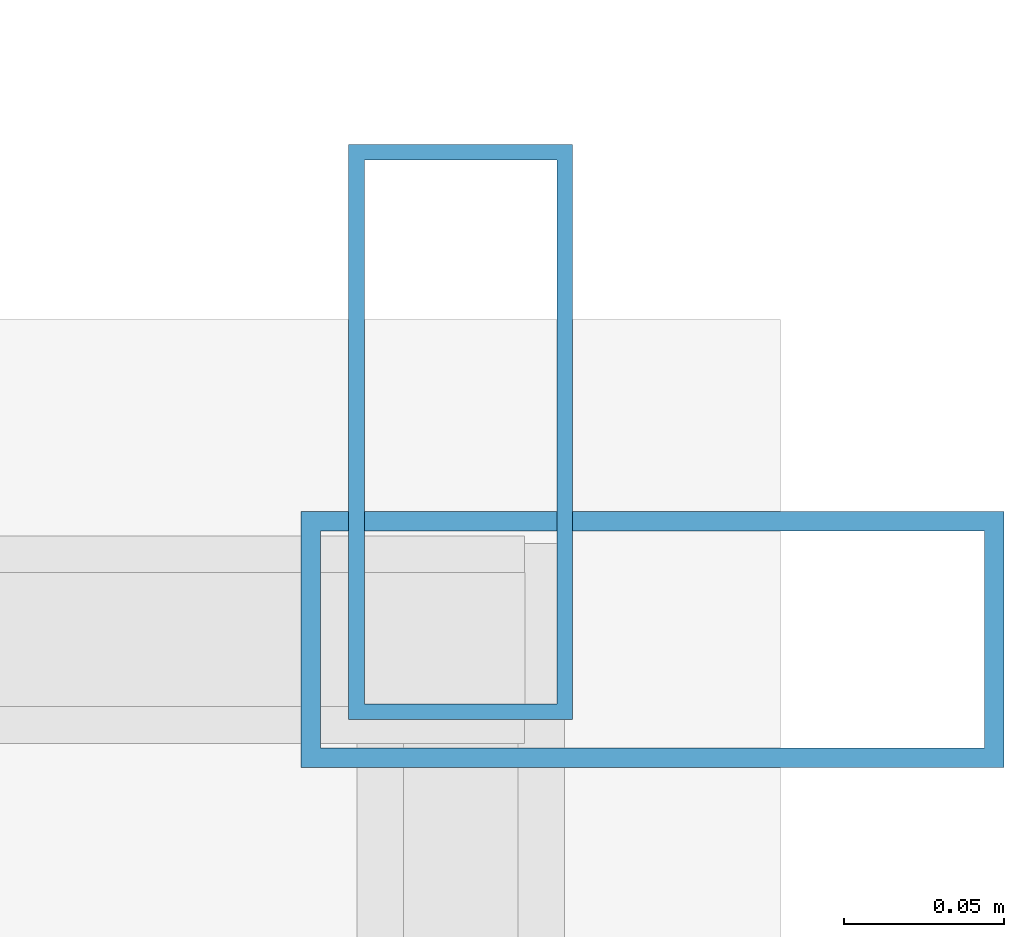
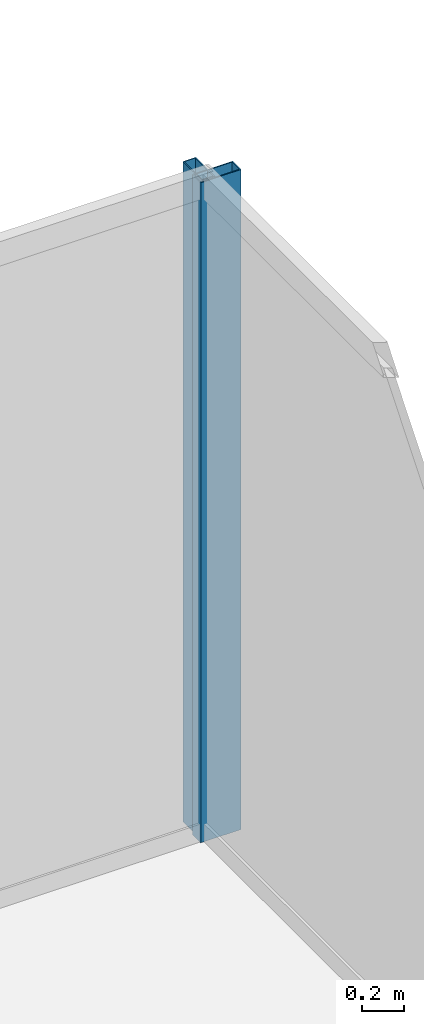
# One storey, part 26 of 33: 2 members, 2 elements without a shape of their own.
"""IFC4 building model written with IfcOpenShell, lengths in metres."""

from ifc_helpers import new_model, si_unit, direction, frame, origin, origin_2d, place, context, subcontext, project, spatial, hollow_rectangle, extrude, source, transform, mapped, material, layer, layer_set, material_profile, profile_set, type_object, type_shapes, element, aggregate, save


model = new_model("IFC4")

# Units and contexts
model_context = context("Model", 3, precision=1e-05, world=origin(), true_north=direction((0.0, 1.0)))
body_context = subcontext(model_context, "Body", "Model", "MODEL_VIEW")
ifc_project = project(units=[si_unit("LENGTHUNIT", "METRE"), si_unit("AREAUNIT", "SQUARE_METRE"), si_unit("VOLUMEUNIT", "CUBIC_METRE"), si_unit("PLANEANGLEUNIT", "RADIAN"), si_unit("MASSUNIT", "GRAM", prefix="KILO")], contexts=[model_context])

# Site, building, storey
site_placement = place(None, origin())
site = spatial("IfcSite", under=ifc_project, at=site_placement, CompositionType="ELEMENT")
building_placement = place(site_placement, origin())
building = spatial("IfcBuilding", under=site, at=building_placement, Name="Haelvirn Gate Laboratories", CompositionType="ELEMENT")
storey_placement = place(building_placement, frame((0.0, 0.0, 271.10009765625)))
storey = spatial("IfcBuildingStorey", under=building, at=storey_placement, Name="L65", CompositionType="ELEMENT", Elevation=271.10009765625)

# Curtain wall, member
ifc_material_1 = material(Name="Anodised bronze unitised aluminium & triple low-E glass", Category="aluminium")
ifc_layer_1 = layer(ifc_material_1, 0.176025390625, Name="CW-SYS-4")
ifc_layer_set_1 = layer_set([ifc_layer_1], Name="Anodised bronze unitised aluminium & triple low-E glass")
curtain_wall_type_1 = type_object("IfcCurtainWallType", Name="CW-SYS-4", PredefinedType="NOTDEFINED", material=ifc_layer_set_1)
curtain_wall_1_placement = place(storey_placement, origin())
curtain_wall_1 = element("IfcCurtainWall", 1, at=curtain_wall_1_placement, inside=storey, type_object=curtain_wall_type_1, Name="L65 Unitised Curtain Wall CW-L65-P0-E07", PredefinedType="NOTDEFINED")
ifc_material_2 = material(Name="Extruded aluminium 6063-T6 (anodised bronze)", Category="aluminium")
ifc_material_profile_1 = material_profile(ifc_material_2, hollow_rectangle(XDim=0.070068359375, YDim=0.179931640625, WallThickness=0.0048828125, at=origin_2d()), Name="CWM-180x70x5")
ifc_profile_set_1 = profile_set([ifc_material_profile_1], Name="Extruded aluminium 6063-T6 (anodised bronze)")
member_type_1 = type_object("IfcMemberType", Name="CWM-T180", PredefinedType="MULLION", material=ifc_profile_set_1)
shared_shape_1 = source(origin(), body_context, "Body", "SweptSolid", [
    extrude(hollow_rectangle(XDim=0.070068359375, YDim=0.179931640625, WallThickness=0.0048828125, at=origin_2d()), origin(), (0.0, 0.0, 1.0), 3.7998046875),
])
type_shapes(member_type_1, [shared_shape_1])
member_1_placement = place(storey_placement, frame((70.699951171875, 42.764892578125, 0.0), z_axis=(0.0, 0.0, 1.0), x_axis=(-1.0, 0.0, 0.0)))
member_1 = element("IfcMember", 2, at=member_1_placement, type_object=member_type_1, Name="CW4 mullion 3", PredefinedType="MULLION", context=body_context, shape_type="MappedRepresentation", body=[
    mapped(shared_shape_1, transform((0.0, 0.0, 0.0), scale=1.0)),
])
aggregate(curtain_wall_1, [member_1])

ifc_layer_2 = layer(ifc_material_1, 0.181884765625, Name="CW-SYS-5")
ifc_layer_set_2 = layer_set([ifc_layer_2], Name="Anodised bronze unitised aluminium & triple low-E glass")
curtain_wall_type_2 = type_object("IfcCurtainWallType", Name="CW-SYS-5", PredefinedType="NOTDEFINED", material=ifc_layer_set_2)
curtain_wall_2_placement = place(storey_placement, origin())
curtain_wall_2 = element("IfcCurtainWall", 3, at=curtain_wall_2_placement, inside=storey, type_object=curtain_wall_type_2, Name="L65 Unitised Curtain Wall CW-L65-P0-E08-1", PredefinedType="NOTDEFINED")
ifc_material_profile_2 = material_profile(ifc_material_2, hollow_rectangle(XDim=0.080078125, YDim=0.219970703125, WallThickness=0.006103515625, at=origin_2d()), Name="CWM-220x80x6")
ifc_profile_set_2 = profile_set([ifc_material_profile_2], Name="Extruded aluminium 6063-T6 (anodised bronze)")
member_type_2 = type_object("IfcMemberType", Name="CWM-T220", PredefinedType="MULLION", material=ifc_profile_set_2)
shared_shape_2 = source(origin(), body_context, "Body", "SweptSolid", [
    extrude(hollow_rectangle(XDim=0.080078125, YDim=0.219970703125, WallThickness=0.006103515625, at=origin_2d()), origin(), (0.0, 0.0, 1.0), 3.7998046875),
])
type_shapes(member_type_2, [shared_shape_2])
member_2_placement = place(storey_placement, frame((70.760009765625, 42.699951171875, 0.0), z_axis=(0.0, 0.0, 1.0), x_axis=(0.0, 1.0, 0.0)))
member_2 = element("IfcMember", 4, at=member_2_placement, type_object=member_type_2, Name="CW5 mullion 2", PredefinedType="MULLION", context=body_context, shape_type="MappedRepresentation", body=[
    mapped(shared_shape_2, transform((0.0, 0.0, 0.0), scale=1.0)),
])
aggregate(curtain_wall_2, [member_2])

save(model, "model.ifc")
